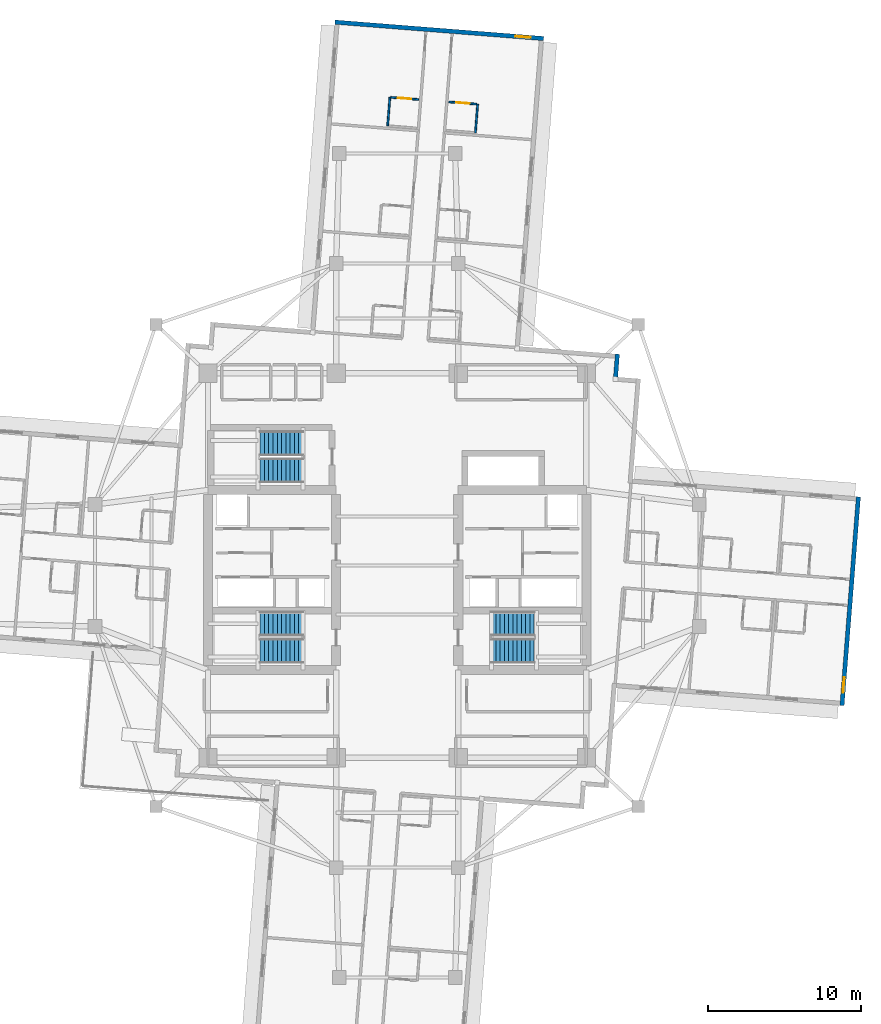
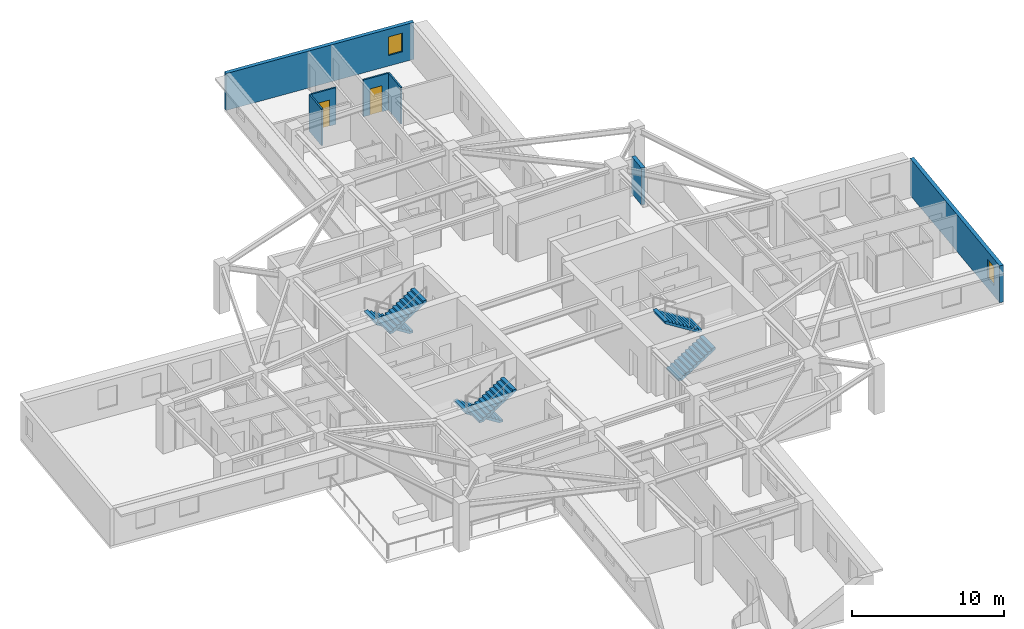
# One storey, part 9 of 14: 7 walls, 6 stair flights, 2 doors, 2 windows, 4 openings, 3 elements without a shape of their own.
"""IFC4 building model written with IfcOpenShell, lengths in metres."""

import ifcopenshell
import ifcopenshell.guid

model = None  # the IFC model being written
_history = None  # IfcOwnerHistory: only IFC2X3 demands one
_inside = {}  # id of a spatial element -> (the spatial element, [elements in it])
_under = {}  # id of a project, library or spatial element -> (it, [spatial elements below it])
_declared = {}  # id of a project -> (the project, [libraries it declares])
_typed = {}  # id of a type object -> (the type object, [elements of that type])
_made_of = {}  # id of a material, layer set ... -> (it, [elements and type objects made of it])


def new_model(schema):
    """Start an empty IFC model of exactly this schema.

    Asked for "IFC4X3", IfcOpenShell would pick the latest addendum, in which some entities
    have other attributes; the version numbers below select the first issue.
    IFC2X3 requires an IfcOwnerHistory on every rooted entity: one is made here for all.
    """
    global model, _history
    if schema == "IFC4X3":
        model = ifcopenshell.file(schema_version=(4, 3, 0, 0))
    else:
        model = ifcopenshell.file(schema=schema)
    _inside.clear()
    _under.clear()
    _declared.clear()
    _typed.clear()
    _made_of.clear()
    _history = None
    if model.schema == "IFC2X3":
        org = make("IfcOrganization", Name="unknown")
        user = make(
            "IfcPersonAndOrganization",
            ThePerson=make("IfcPerson", FamilyName="unknown"),
            TheOrganization=org,
        )
        app = make(
            "IfcApplication",
            ApplicationDeveloper=org,
            Version="unknown",
            ApplicationFullName="unknown",
            ApplicationIdentifier="unknown",
        )
        _history = make(
            "IfcOwnerHistory",
            OwningUser=user,
            OwningApplication=app,
            ChangeAction="ADDED",
            CreationDate=0,
        )
    return model


def make(cls, **values):
    """One entity of the class cls with the attributes given. An attribute that is None is left unset."""
    return model.create_entity(
        cls, **{name: value for name, value in values.items() if value is not None}
    )


def rooted(cls, **values):
    """An entity with a GlobalId (a new one), such as an element, a storey or a relation."""
    return make(cls, GlobalId=ifcopenshell.guid.new(), OwnerHistory=_history, **values)


def si_unit(unit_type, name, prefix=None):
    """IfcSIUnit, for example si_unit("LENGTHUNIT", "METRE", prefix="MILLI")."""
    return make("IfcSIUnit", UnitType=unit_type, Prefix=prefix, Name=name)


def assignment(units):
    """IfcUnitAssignment: the units of a project."""
    return None if units is None else make("IfcUnitAssignment", Units=units)


def point(xyz):
    """IfcCartesianPoint."""
    return None if xyz is None else make("IfcCartesianPoint", Coordinates=xyz)


def direction(xyz):
    """IfcDirection."""
    return None if xyz is None else make("IfcDirection", DirectionRatios=xyz)


def frame(location, z_axis=None, x_axis=None):
    """IfcAxis2Placement3D, a coordinate frame: its origin and axes. An axis left out is left unset."""
    return make(
        "IfcAxis2Placement3D",
        Location=point(location),
        Axis=direction(z_axis),
        RefDirection=direction(x_axis),
    )


def frame_2d(location, x_axis=None):
    """IfcAxis2Placement2D, a coordinate frame in the plane: its origin and x axis."""
    return make(
        "IfcAxis2Placement2D", Location=point(location), RefDirection=direction(x_axis)
    )


def origin():
    """The frame at (0, 0, 0) with its axes left unset."""
    return frame((0.0, 0.0, 0.0))


def place(relative_to, where):
    """IfcLocalPlacement: puts the frame where relative to a parent placement (None: the world)."""
    return make(
        "IfcLocalPlacement", PlacementRelTo=relative_to, RelativePlacement=where
    )


def context(
    kind, dimensions, precision=None, world=None, true_north=None, identifier=None
):
    """IfcGeometricRepresentationContext, for example the 3D "Model" context."""
    return make(
        "IfcGeometricRepresentationContext",
        ContextIdentifier=identifier,
        ContextType=kind,
        CoordinateSpaceDimension=dimensions,
        Precision=precision,
        WorldCoordinateSystem=world,
        TrueNorth=true_north,
    )


def subcontext(parent, identifier, kind, view, scale=None):
    """IfcGeometricRepresentationSubContext, for example "Body" below "Model"."""
    return make(
        "IfcGeometricRepresentationSubContext",
        ContextIdentifier=identifier,
        ContextType=kind,
        ParentContext=parent,
        TargetScale=scale,
        TargetView=view,
    )


def project(units=None, contexts=None):
    """IfcProject with its units and contexts."""
    return rooted(
        "IfcProject",
        Name="project",
        RepresentationContexts=contexts,
        UnitsInContext=assignment(units),
    )


def spatial(cls, under=None, at=None, **own):
    """A site, building, storey or space (cls), placed at a placement, below another one or the project."""
    s = rooted(cls, ObjectPlacement=at, **own)
    if under is not None:
        _under.setdefault(under.id(), (under, []))[1].append(s)
    return s


def polyline(points):
    """IfcPolyline through the points."""
    return make("IfcPolyline", Points=[point(p) for p in points])


def profile(cls, at=None, kind="AREA", **sizes):
    """A parametric profile (cls). Its sizes go by their IFC names, for example OverallWidth=200.0."""
    return make(cls, ProfileType=kind, Position=at, **sizes)


def rectangle(**sizes):
    """IfcRectangleProfileDef."""
    return profile("IfcRectangleProfileDef", **sizes)


def outline(outer, holes=None, kind="AREA"):
    """IfcArbitraryClosedProfileDef: a profile drawn as a closed curve; with holes, ...WithVoids."""
    if holes is None:
        return make("IfcArbitraryClosedProfileDef", ProfileType=kind, OuterCurve=outer)
    return make(
        "IfcArbitraryProfileDefWithVoids",
        ProfileType=kind,
        OuterCurve=outer,
        InnerCurves=holes,
    )


def extrude(swept, where, along, depth):
    """IfcExtrudedAreaSolid: the profile swept, set in the frame where, extruded along a direction by depth."""
    return make(
        "IfcExtrudedAreaSolid",
        SweptArea=swept,
        Position=where,
        ExtrudedDirection=direction(along),
        Depth=depth,
    )


def shape(context_of_items, identifier, shape_type, items):
    """IfcShapeRepresentation: the items that make up one representation, for example the "Body"."""
    return make(
        "IfcShapeRepresentation",
        ContextOfItems=context_of_items,
        RepresentationIdentifier=identifier,
        RepresentationType=shape_type,
        Items=items,
    )


def material(Name=None, Category=None):
    """IfcMaterial."""
    return make("IfcMaterial", Name=Name, Category=Category)


def layer(
    of_material, thickness, ventilated=None, Name=None, Category=None, Priority=None
):
    """IfcMaterialLayer: one layer of a wall or slab, of a material (None: an air gap)."""
    return make(
        "IfcMaterialLayer",
        Material=of_material,
        LayerThickness=thickness,
        IsVentilated=ventilated,
        Name=Name,
        Category=Category,
        Priority=Priority,
    )


def layer_set(layers, Name=None):
    """IfcMaterialLayerSet."""
    return make("IfcMaterialLayerSet", MaterialLayers=layers, LayerSetName=Name)


def made_of(thing, what):
    """Note that an element or type object is made of a material, layer set ...; save() writes the relation."""
    if what is not None:
        _made_of.setdefault(what.id(), (what, []))[1].append(thing)
    return thing


def type_object(cls, material=None, **own):
    """A type object (cls), such as IfcWallType, which elements share."""
    return made_of(rooted(cls, **own), material)


def element(
    cls,
    number,
    at=None,
    inside=None,
    cuts=None,
    type_object=None,
    material=None,
    context=None,
    identifier="Body",
    shape_type=None,
    held_by="IfcProductDefinitionShape",
    body=None,
    shapes=None,
    **own,
):
    """One element of the class cls, such as IfcWall. Its Tag is "e" and its number.

    at: its placement. inside: the storey or other place that contains it. cuts: it is an
    opening in that element (IfcRelVoidsElement). A single representation is given by context,
    identifier, shape_type and body (its items); several are given by shapes. held_by: the class
    of the entity that holds the representations. save() writes the other relations.
    """
    e = rooted(cls, Tag="e%d" % number, ObjectPlacement=at, **own)
    if body is not None:
        shapes = [shape(context, identifier, shape_type, body)]
    if shapes is not None:
        e.Representation = make(held_by, Representations=shapes)
    if inside is not None:
        _inside.setdefault(inside.id(), (inside, []))[1].append(e)
    if cuts is not None:
        rooted(
            "IfcRelVoidsElement", RelatingBuildingElement=cuts, RelatedOpeningElement=e
        )
    if type_object is not None:
        _typed.setdefault(type_object.id(), (type_object, []))[1].append(e)
    return made_of(e, material)


def fill(opening, filler):
    """IfcRelFillsElement: the door or window that sits in an opening."""
    return rooted(
        "IfcRelFillsElement",
        RelatingOpeningElement=opening,
        RelatedBuildingElement=filler,
    )


def aggregate(whole, parts):
    """IfcRelAggregates: a whole, such as a stair, and the parts it consists of."""
    return rooted("IfcRelAggregates", RelatingObject=whole, RelatedObjects=parts)


def save(model, path):
    """Write the relations noted so far, then the file.

    IfcRelAggregates (storeys below a building ...), IfcRelContainedInSpatialStructure (elements
    in a storey), IfcRelDefinesByType, IfcRelAssociatesMaterial and IfcRelDeclares: one each for
    every whole, place, type object, material and project.
    """
    for whole, parts in _under.values():
        aggregate(whole, parts)
    for where, things in _inside.values():
        rooted(
            "IfcRelContainedInSpatialStructure",
            RelatedElements=things,
            RelatingStructure=where,
        )
    for kind, things in _typed.values():
        rooted("IfcRelDefinesByType", RelatedObjects=things, RelatingType=kind)
    for what, things in _made_of.values():
        rooted("IfcRelAssociatesMaterial", RelatedObjects=things, RelatingMaterial=what)
    for by, libraries in _declared.values():
        rooted("IfcRelDeclares", RelatingContext=by, RelatedDefinitions=libraries)
    model.write(path)


model = new_model("IFC4")

# Units and contexts
model_context = context("Model", 3, precision=1e-05, world=origin(), true_north=direction((0.0, 1.0)))
body_context = subcontext(model_context, "Body", "Model", "MODEL_VIEW")
ifc_project = project(units=[si_unit("LENGTHUNIT", "METRE"), si_unit("AREAUNIT", "SQUARE_METRE"), si_unit("VOLUMEUNIT", "CUBIC_METRE"), si_unit("PLANEANGLEUNIT", "RADIAN"), si_unit("MASSUNIT", "GRAM", prefix="KILO")], contexts=[model_context])

# Site, building, storey
site_placement = place(None, origin())
site = spatial("IfcSite", under=ifc_project, at=site_placement, CompositionType="ELEMENT")
building_placement = place(site_placement, origin())
building = spatial("IfcBuilding", under=site, at=building_placement, Name="Qingluan Cross Belvedere", CompositionType="ELEMENT")
storey_placement = place(building_placement, frame((0.0, 0.0, 164.39990234375)))
storey = spatial("IfcBuildingStorey", under=building, at=storey_placement, Name="L41", CompositionType="ELEMENT", Elevation=164.39990234375)

# Wall, opening, door
ifc_material_1 = material(Name="Moisture-resistant gypsum board lining")
ifc_layer_1 = layer(ifc_material_1, 0.1201171875, Name="EnsuiteWetPartition_120")
ifc_layer_set_1 = layer_set([ifc_layer_1], Name="Moisture-resistant gypsum board lining")
wall_type_1 = type_object("IfcWallType", Name="EnsuiteWetPartition_120", PredefinedType="PARTITIONING", material=ifc_layer_set_1)
wall_1_placement = place(storey_placement, frame((3.39404296875, 30.37939453125, 0.0), z_axis=(0.0, 0.0, 1.0), x_axis=(0.996916400774, -0.0784709492, 0.0)))
wall_1 = element("IfcWall", 1, at=wall_1_placement, inside=storey, type_object=wall_type_1, Name="Partition L41:N:bs0_2", PredefinedType="PARTITIONING", context=body_context, shape_type="SweptSolid", body=[
    extrude(rectangle(XDim=1.820068359375, YDim=0.1201171875, at=frame_2d((0.91015625, 0.0))), origin(), (0.0, 0.0, 1.0), 2.960205078125),
])
opening_1_placement = place(wall_1_placement, frame((0.469970703125, 0.0, 0.0)))
opening_1 = element("IfcOpeningElement", 2, at=opening_1_placement, cuts=wall_1, Name="Opening BD-09", PredefinedType="OPENING", context=body_context, shape_type="SweptSolid", body=[
    extrude(rectangle(XDim=0.8798828125, YDim=2.10009765625, at=frame_2d((0.43994140625, 1.050048828125))), frame((0.0, 0.070068359375, 0.0), z_axis=(0.0, -1.0, 0.0), x_axis=(1.0, 0.0, 0.0)), (0.0, 0.0, 1.0), 0.14013671875),
])
ifc_material_2 = material(Name="Moisture-sealed timber en-suite door", Category="wood")
door_type = type_object("IfcDoorType", Name="BathroomDoor_880", OperationType="NOTDEFINED", PredefinedType="DOOR", material=ifc_material_2)
door_1_placement = place(opening_1_placement, origin())
door_1 = element("IfcDoor", 3, at=door_1_placement, inside=storey, type_object=door_type, Name="Bathroom door 4113", OperationType="SINGLE_SWING_LEFT", OverallHeight=2.10009765625, OverallWidth=0.8798828125, PredefinedType="DOOR", context=body_context, shape_type="SweptSolid", body=[
    extrude(rectangle(XDim=0.8798828125, YDim=2.10009765625, at=frame_2d((0.43994140625, 1.050048828125))), frame((0.0, 0.02490234375, 0.0), z_axis=(0.0, -1.0, 0.0), x_axis=(1.0, 0.0, 0.0)), (0.0, 0.0, 1.0), 0.050048828125),
])
fill(opening_1, door_1)

# Wall
wall_2_placement = place(storey_placement, frame((5.125732421875, 28.357421875, 0.0), z_axis=(0.0, 0.0, 1.0), x_axis=(0.078444342213, 0.99691849475, 0.0)))
element("IfcWall", 4, at=wall_2_placement, inside=storey, type_object=wall_type_1, Name="Partition L41:N:bn0_2", PredefinedType="PARTITIONING", context=body_context, shape_type="SweptSolid", body=[
    extrude(rectangle(XDim=1.8798828125, YDim=0.1201171875, at=frame_2d((0.93994140625, 0.0))), origin(), (0.0, 0.0, 1.0), 2.960205078125),
])

# Wall, opening, door
wall_3_placement = place(storey_placement, frame((-0.414306640625, 30.67919921875, 0.0), z_axis=(0.0, 0.0, 1.0), x_axis=(0.996916400774, -0.0784709492, 0.0)))
wall_3 = element("IfcWall", 5, at=wall_3_placement, inside=storey, type_object=wall_type_1, Name="Partition L41:N:bs1_2", PredefinedType="PARTITIONING", context=body_context, shape_type="SweptSolid", body=[
    extrude(rectangle(XDim=1.820068359375, YDim=0.1201171875, at=frame_2d((0.91015625, 0.0))), origin(), (0.0, 0.0, 1.0), 2.960205078125),
])
opening_2_placement = place(wall_3_placement, frame((0.469970703125, 0.0, 0.0)))
opening_2 = element("IfcOpeningElement", 6, at=opening_2_placement, cuts=wall_3, Name="Opening BD-09", PredefinedType="OPENING", context=body_context, shape_type="SweptSolid", body=[
    extrude(rectangle(XDim=0.8798828125, YDim=2.10009765625, at=frame_2d((0.43994140625, 1.050048828125))), frame((0.0, 0.070068359375, 0.0), z_axis=(0.0, -1.0, 0.0), x_axis=(1.0, 0.0, 0.0)), (0.0, 0.0, 1.0), 0.14013671875),
])
door_2_placement = place(opening_2_placement, origin())
door_2 = element("IfcDoor", 7, at=door_2_placement, inside=storey, type_object=door_type, Name="Bathroom door 4116", OperationType="SINGLE_SWING_LEFT", OverallHeight=2.10009765625, OverallWidth=0.8798828125, PredefinedType="DOOR", context=body_context, shape_type="SweptSolid", body=[
    extrude(rectangle(XDim=0.8798828125, YDim=2.10009765625, at=frame_2d((0.43994140625, 1.050048828125))), frame((0.0, 0.02490234375, 0.0), z_axis=(0.0, -1.0, 0.0), x_axis=(1.0, 0.0, 0.0)), (0.0, 0.0, 1.0), 0.050048828125),
])
fill(opening_2, door_2)

# Wall
wall_4_placement = place(storey_placement, frame((-0.62646484375, 28.81005859375, 0.0), z_axis=(0.0, 0.0, 1.0), x_axis=(0.078444342213, 0.99691849475, 0.0)))
element("IfcWall", 8, at=wall_4_placement, inside=storey, type_object=wall_type_1, Name="Partition L41:N:bc1_2", PredefinedType="PARTITIONING", context=body_context, shape_type="SweptSolid", body=[
    extrude(rectangle(XDim=1.8798828125, YDim=0.1201171875, at=frame_2d((0.93994140625, 0.0))), origin(), (0.0, 0.0, 1.0), 2.960205078125),
])

# Wall, opening, window
ifc_material_3 = material(Name="Precast concrete C45", Category="concrete")
ifc_layer_2 = layer(ifc_material_3, 0.280029296875, Name="PrecastFacadeWall_280")
ifc_layer_set_2 = layer_set([ifc_layer_2], Name="Precast concrete C45")
wall_type_2 = type_object("IfcWallType", Name="PrecastFacadeWall_280", PredefinedType="STANDARD", material=ifc_layer_set_2)
wall_5_placement = place(storey_placement, frame((29.14990234375, -9.17529296875, 0.0), z_axis=(0.0, 0.0, 1.0), x_axis=(0.078457226018, 0.996917480881, 0.0)))
wall_5 = element("IfcWall", 9, at=wall_5_placement, inside=storey, type_object=wall_type_2, Name="Arm tip precast facade wall L41-E", PredefinedType="STANDARD", context=body_context, shape_type="SweptSolid", body=[
    extrude(rectangle(XDim=13.7197265625, YDim=0.280029296875, at=frame_2d((6.85986328125, 0.0))), origin(), (0.0, 0.0, 1.0), 2.97021484375),
])
opening_3_placement = place(wall_5_placement, frame((0.85009765625, 0.0, 0.85009765625)))
opening_3 = element("IfcOpeningElement", 10, at=opening_3_placement, cuts=wall_5, Name="Opening W-03", PredefinedType="OPENING", context=body_context, shape_type="SweptSolid", body=[
    extrude(rectangle(XDim=1.0, YDim=1.5, at=frame_2d((0.5, 0.75))), frame((0.0, 0.14990234375, 0.0), z_axis=(0.0, -1.0, 0.0), x_axis=(1.0, 0.0, 0.0)), (0.0, 0.0, 1.0), 0.300048828125),
])
ifc_material_4 = material(Name="Thermally broken triple Low-E glass in aluminium frame", Category="aluminium")
window_type = type_object("IfcWindowType", Name="TriApexWin_1000x1500", PartitioningType="SINGLE_PANEL", PredefinedType="WINDOW", material=ifc_material_4)
window_1_placement = place(opening_3_placement, origin())
window_1 = element("IfcWindow", 11, at=window_1_placement, inside=storey, type_object=window_type, Name="Arm tip triangular window L41-E", OverallHeight=1.5, OverallWidth=1.0, PartitioningType="SINGLE_PANEL", PredefinedType="WINDOW", context=body_context, shape_type="SweptSolid", body=[
    extrude(rectangle(XDim=1.0, YDim=1.5, at=frame_2d((0.5, 0.75))), frame((0.0, 0.030029296875, 0.0), z_axis=(0.0, -1.0, 0.0), x_axis=(1.0, 0.0, 0.0)), (0.0, 0.0, 1.0), 0.06005859375),
])
fill(opening_3, window_1)

wall_6_placement = place(storey_placement, frame((9.59912109375, 34.533203125, 0.0), z_axis=(0.0, 0.0, 1.0), x_axis=(-0.996916198482, 0.078473519122, 0.0)))
wall_6 = element("IfcWall", 12, at=wall_6_placement, inside=storey, type_object=wall_type_2, Name="Arm tip precast facade wall L41-N", PredefinedType="STANDARD", context=body_context, shape_type="SweptSolid", body=[
    extrude(rectangle(XDim=13.719970703125, YDim=0.280029296875, at=frame_2d((6.85986328125, 0.0))), origin(), (0.0, 0.0, 1.0), 2.97021484375),
])
opening_4_placement = place(wall_6_placement, frame((0.85009765625, 0.0, 0.85009765625)))
opening_4 = element("IfcOpeningElement", 13, at=opening_4_placement, cuts=wall_6, Name="Opening W-03", PredefinedType="OPENING", context=body_context, shape_type="SweptSolid", body=[
    extrude(rectangle(XDim=1.0, YDim=1.5, at=frame_2d((0.5, 0.75))), frame((0.0, 0.14990234375, 0.0), z_axis=(0.0, -1.0, 0.0), x_axis=(1.0, 0.0, 0.0)), (0.0, 0.0, 1.0), 0.300048828125),
])
window_2_placement = place(opening_4_placement, origin())
window_2 = element("IfcWindow", 14, at=window_2_placement, inside=storey, type_object=window_type, Name="Arm tip triangular window L41-N", OverallHeight=1.5, OverallWidth=1.0, PartitioningType="SINGLE_PANEL", PredefinedType="WINDOW", context=body_context, shape_type="SweptSolid", body=[
    extrude(rectangle(XDim=1.0, YDim=1.5, at=frame_2d((0.5, 0.75))), frame((0.0, 0.030029296875, 0.0), z_axis=(0.0, -1.0, 0.0), x_axis=(1.0, 0.0, 0.0)), (0.0, 0.0, 1.0), 0.06005859375),
])
fill(opening_4, window_2)

# Wall
wall_7_placement = place(storey_placement, frame((14.3134765625, 12.35498046875, 0.0), z_axis=(0.0, 0.0, 1.0), x_axis=(0.078451338629, 0.9969179442, 0.0)))
element("IfcWall", 15, at=wall_7_placement, inside=storey, type_object=wall_type_2, Name="Corner wall L41-NE3", PredefinedType="STANDARD", context=body_context, shape_type="SweptSolid", body=[
    extrude(rectangle(XDim=1.5, YDim=0.280029296875, at=frame_2d((0.75, 0.0))), origin(), (0.0, 0.0, 1.0), 2.97021484375),
])

# Stair, stair flights
ifc_material_5 = material(Name="Concrete C40", Category="concrete")
stair_type = type_object("IfcStairType", Name="CoreDoglegStair_1620", PredefinedType="HALF_TURN_STAIR", material=ifc_material_5)
stair_1_placement = place(storey_placement, origin())
stair_1 = element("IfcStair", 16, at=stair_1_placement, inside=storey, type_object=stair_type, Name="L41 ST1", PredefinedType="HALF_TURN_STAIR")
ifc_material_6 = material(Name="Concrete C40", Category="concrete")
ifc_layer_3 = layer(ifc_material_6, 0.179931640625, Name="StairFlight_RC180")
ifc_layer_set_3 = layer_set([ifc_layer_3], Name="Concrete C40")
stair_flight_type = type_object("IfcStairFlightType", Name="StairFlight_RC180", PredefinedType="STRAIGHT", material=ifc_layer_set_3)
stair_flight_1_placement = place(storey_placement, frame((-6.179931640625, -3.81005859375, 0.0), z_axis=(0.0, 0.0, 1.0), x_axis=(-1.0, 0.0, 0.0)))
stair_flight_1 = element("IfcStairFlight", 17, at=stair_flight_1_placement, type_object=stair_flight_type, Name="ST1 flight 1", NumberOfRisers=11, NumberOfTreads=10, PredefinedType="STRAIGHT", RiserHeight=0.177272727, TreadLength=0.28, context=body_context, shape_type="SweptSolid", body=[
    extrude(outline(polyline([(0.0, 0.0), (0.0, 0.17724609375), (0.280029296875, 0.17724609375), (0.280029296875, 0.3544921875), (0.56005859375, 0.3544921875), (0.56005859375, 0.53173828125), (0.840087890625, 0.53173828125), (0.840087890625, 0.708984375), (1.1201171875, 0.708984375), (1.1201171875, 0.886474609375), (1.39990234375, 0.886474609375), (1.39990234375, 1.063720703125), (1.679931640625, 1.063720703125), (1.679931640625, 1.240966796875), (1.9599609375, 1.240966796875), (1.9599609375, 1.418212890625), (2.239990234375, 1.418212890625), (2.239990234375, 1.595458984375), (2.52001953125, 1.595458984375), (2.52001953125, 1.772705078125), (2.800048828125, 1.772705078125), (2.800048828125, 1.949951171875), (2.800048828125, 1.59521484375), (0.2802734375, 0.0), (0.0, 0.0)])), frame((0.0, 0.81005859375, 0.0), z_axis=(0.0, -1.0, 0.0), x_axis=(1.0, 0.0, 0.0)), (0.0, 0.0, 1.0), 1.6201171875),
])
stair_flight_2_placement = place(storey_placement, frame((-8.97998046875, -5.590087890625, 1.9501953125), z_axis=(0.0, 0.0, 1.0), x_axis=(1.0, 0.0, 0.0)))
stair_flight_2 = element("IfcStairFlight", 18, at=stair_flight_2_placement, type_object=stair_flight_type, Name="ST1 flight 2", NumberOfRisers=11, NumberOfTreads=10, PredefinedType="STRAIGHT", RiserHeight=0.177272727, TreadLength=0.28, context=body_context, shape_type="SweptSolid", body=[
    extrude(outline(polyline([(0.0, 0.0), (0.0, 0.17724609375), (0.280029296875, 0.17724609375), (0.280029296875, 0.3544921875), (0.56005859375, 0.3544921875), (0.56005859375, 0.53173828125), (0.840087890625, 0.53173828125), (0.840087890625, 0.708984375), (1.1201171875, 0.708984375), (1.1201171875, 0.886474609375), (1.39990234375, 0.886474609375), (1.39990234375, 1.063720703125), (1.679931640625, 1.063720703125), (1.679931640625, 1.240966796875), (1.9599609375, 1.240966796875), (1.9599609375, 1.418212890625), (2.239990234375, 1.418212890625), (2.239990234375, 1.595458984375), (2.52001953125, 1.595458984375), (2.52001953125, 1.772705078125), (2.800048828125, 1.772705078125), (2.800048828125, 1.949951171875), (2.800048828125, 1.59521484375), (0.2802734375, 0.0), (0.0, 0.0)])), frame((0.0, 0.81005859375, 0.0), z_axis=(0.0, -1.0, 0.0), x_axis=(1.0, 0.0, 0.0)), (0.0, 0.0, 1.0), 1.6201171875),
])
aggregate(stair_1, [stair_flight_1, stair_flight_2])

stair_2_placement = place(storey_placement, origin())
stair_2 = element("IfcStair", 19, at=stair_2_placement, inside=storey, type_object=stair_type, Name="L41 ST2", PredefinedType="HALF_TURN_STAIR")
stair_flight_3_placement = place(storey_placement, frame((6.179931640625, -5.590087890625, 0.0), z_axis=(0.0, 0.0, 1.0), x_axis=(1.0, 0.0, 0.0)))
stair_flight_3 = element("IfcStairFlight", 20, at=stair_flight_3_placement, type_object=stair_flight_type, Name="ST2 flight 1", NumberOfRisers=11, NumberOfTreads=10, PredefinedType="STRAIGHT", RiserHeight=0.177272727, TreadLength=0.28, context=body_context, shape_type="SweptSolid", body=[
    extrude(outline(polyline([(0.0, 0.0), (0.0, 0.17724609375), (0.280029296875, 0.17724609375), (0.280029296875, 0.3544921875), (0.56005859375, 0.3544921875), (0.56005859375, 0.53173828125), (0.840087890625, 0.53173828125), (0.840087890625, 0.708984375), (1.1201171875, 0.708984375), (1.1201171875, 0.886474609375), (1.39990234375, 0.886474609375), (1.39990234375, 1.063720703125), (1.679931640625, 1.063720703125), (1.679931640625, 1.240966796875), (1.9599609375, 1.240966796875), (1.9599609375, 1.418212890625), (2.239990234375, 1.418212890625), (2.239990234375, 1.595458984375), (2.52001953125, 1.595458984375), (2.52001953125, 1.772705078125), (2.800048828125, 1.772705078125), (2.800048828125, 1.949951171875), (2.800048828125, 1.59521484375), (0.2802734375, 0.0), (0.0, 0.0)])), frame((0.0, 0.81005859375, 0.0), z_axis=(0.0, -1.0, 0.0), x_axis=(1.0, 0.0, 0.0)), (0.0, 0.0, 1.0), 1.6201171875),
])
stair_flight_4_placement = place(storey_placement, frame((8.97998046875, -3.81005859375, 1.9501953125), z_axis=(0.0, 0.0, 1.0), x_axis=(-1.0, 0.0, 0.0)))
stair_flight_4 = element("IfcStairFlight", 21, at=stair_flight_4_placement, type_object=stair_flight_type, Name="ST2 flight 2", NumberOfRisers=11, NumberOfTreads=10, PredefinedType="STRAIGHT", RiserHeight=0.177272727, TreadLength=0.28, context=body_context, shape_type="SweptSolid", body=[
    extrude(outline(polyline([(0.0, 0.0), (0.0, 0.17724609375), (0.280029296875, 0.17724609375), (0.280029296875, 0.3544921875), (0.56005859375, 0.3544921875), (0.56005859375, 0.53173828125), (0.840087890625, 0.53173828125), (0.840087890625, 0.708984375), (1.1201171875, 0.708984375), (1.1201171875, 0.886474609375), (1.39990234375, 0.886474609375), (1.39990234375, 1.063720703125), (1.679931640625, 1.063720703125), (1.679931640625, 1.240966796875), (1.9599609375, 1.240966796875), (1.9599609375, 1.418212890625), (2.239990234375, 1.418212890625), (2.239990234375, 1.595458984375), (2.52001953125, 1.595458984375), (2.52001953125, 1.772705078125), (2.800048828125, 1.772705078125), (2.800048828125, 1.949951171875), (2.800048828125, 1.59521484375), (0.2802734375, 0.0), (0.0, 0.0)])), frame((0.0, 0.81005859375, 0.0), z_axis=(0.0, -1.0, 0.0), x_axis=(1.0, 0.0, 0.0)), (0.0, 0.0, 1.0), 1.6201171875),
])
aggregate(stair_2, [stair_flight_3, stair_flight_4])

stair_3_placement = place(storey_placement, origin())
stair_3 = element("IfcStair", 22, at=stair_3_placement, inside=storey, type_object=stair_type, Name="L41 ST3", PredefinedType="HALF_TURN_STAIR")
stair_flight_5_placement = place(storey_placement, frame((-6.179931640625, 8.010009765625, 0.0), z_axis=(0.0, 0.0, 1.0), x_axis=(-1.0, 0.0, 0.0)))
stair_flight_5 = element("IfcStairFlight", 23, at=stair_flight_5_placement, type_object=stair_flight_type, Name="ST3 flight 1", NumberOfRisers=11, NumberOfTreads=10, PredefinedType="STRAIGHT", RiserHeight=0.177272727, TreadLength=0.28, context=body_context, shape_type="SweptSolid", body=[
    extrude(outline(polyline([(0.0, 0.0), (0.0, 0.17724609375), (0.280029296875, 0.17724609375), (0.280029296875, 0.3544921875), (0.56005859375, 0.3544921875), (0.56005859375, 0.53173828125), (0.840087890625, 0.53173828125), (0.840087890625, 0.708984375), (1.1201171875, 0.708984375), (1.1201171875, 0.886474609375), (1.39990234375, 0.886474609375), (1.39990234375, 1.063720703125), (1.679931640625, 1.063720703125), (1.679931640625, 1.240966796875), (1.9599609375, 1.240966796875), (1.9599609375, 1.418212890625), (2.239990234375, 1.418212890625), (2.239990234375, 1.595458984375), (2.52001953125, 1.595458984375), (2.52001953125, 1.772705078125), (2.800048828125, 1.772705078125), (2.800048828125, 1.949951171875), (2.800048828125, 1.59521484375), (0.2802734375, 0.0), (0.0, 0.0)])), frame((0.0, 0.81005859375, 0.0), z_axis=(0.0, -1.0, 0.0), x_axis=(1.0, 0.0, 0.0)), (0.0, 0.0, 1.0), 1.6201171875),
])
stair_flight_6_placement = place(storey_placement, frame((-8.97998046875, 6.22998046875, 1.9501953125), z_axis=(0.0, 0.0, 1.0), x_axis=(1.0, 0.0, 0.0)))
stair_flight_6 = element("IfcStairFlight", 24, at=stair_flight_6_placement, type_object=stair_flight_type, Name="ST3 flight 2", NumberOfRisers=11, NumberOfTreads=10, PredefinedType="STRAIGHT", RiserHeight=0.177272727, TreadLength=0.28, context=body_context, shape_type="SweptSolid", body=[
    extrude(outline(polyline([(0.0, 0.0), (0.0, 0.17724609375), (0.280029296875, 0.17724609375), (0.280029296875, 0.3544921875), (0.56005859375, 0.3544921875), (0.56005859375, 0.53173828125), (0.840087890625, 0.53173828125), (0.840087890625, 0.708984375), (1.1201171875, 0.708984375), (1.1201171875, 0.886474609375), (1.39990234375, 0.886474609375), (1.39990234375, 1.063720703125), (1.679931640625, 1.063720703125), (1.679931640625, 1.240966796875), (1.9599609375, 1.240966796875), (1.9599609375, 1.418212890625), (2.239990234375, 1.418212890625), (2.239990234375, 1.595458984375), (2.52001953125, 1.595458984375), (2.52001953125, 1.772705078125), (2.800048828125, 1.772705078125), (2.800048828125, 1.949951171875), (2.800048828125, 1.59521484375), (0.2802734375, 0.0), (0.0, 0.0)])), frame((0.0, 0.81005859375, 0.0), z_axis=(0.0, -1.0, 0.0), x_axis=(1.0, 0.0, 0.0)), (0.0, 0.0, 1.0), 1.6201171875),
])
aggregate(stair_3, [stair_flight_5, stair_flight_6])

save(model, "model.ifc")
